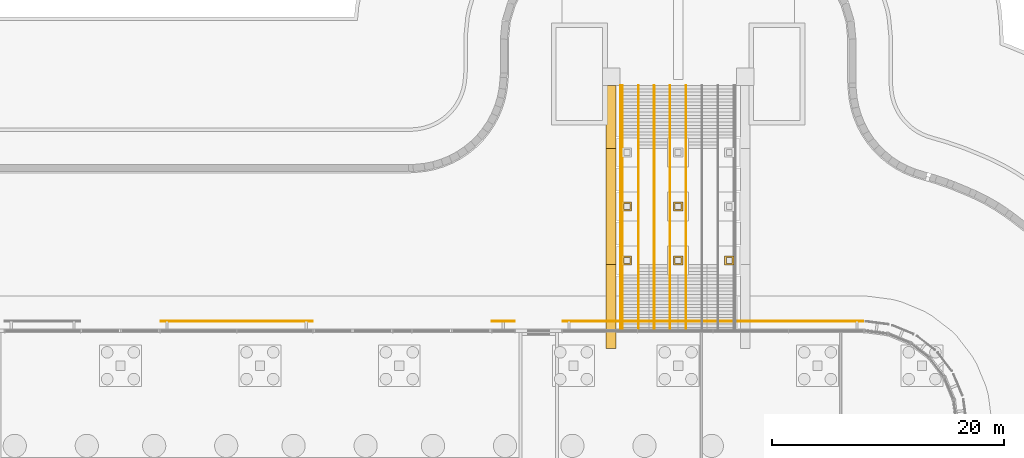
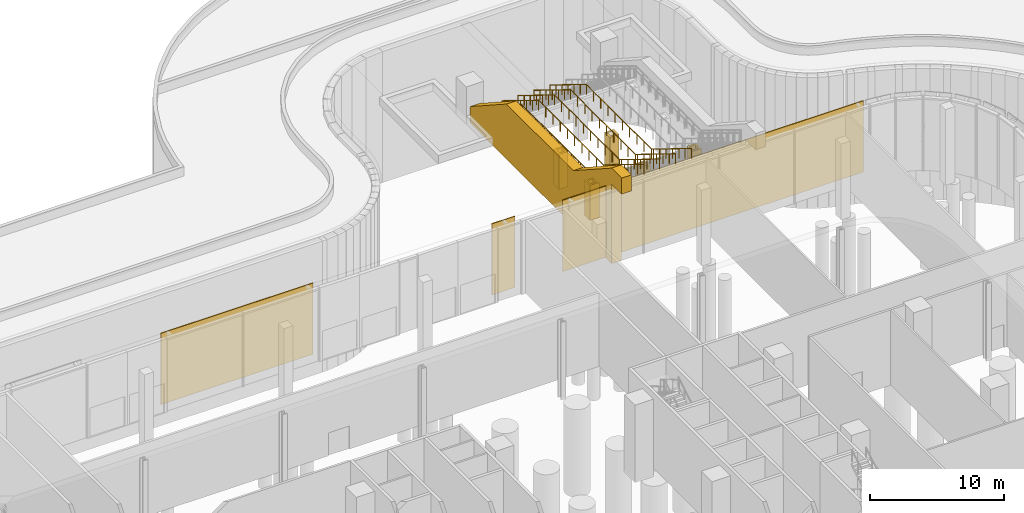
# One storey, part 45 of 48: 9 coverings, 6 railings, 1 element without a shape of its own.
"""IFC4 building model written with IfcOpenShell, lengths in metres."""

from ifc_helpers import new_model, si_unit, direction, frame, origin, origin_2d, place, context, subcontext, project, spatial, polyline, rectangle, circle, outline, extrude, material, layer, layer_set, type_object, element, aggregate, save


model = new_model("IFC4")

# Units and contexts
model_context = context("Model", 3, precision=1e-05, world=origin(), true_north=direction((0.0, 1.0)))
body_context = subcontext(model_context, "Body", "Model", "MODEL_VIEW")
ifc_project = project(units=[si_unit("LENGTHUNIT", "METRE"), si_unit("AREAUNIT", "SQUARE_METRE"), si_unit("VOLUMEUNIT", "CUBIC_METRE"), si_unit("PLANEANGLEUNIT", "RADIAN"), si_unit("MASSUNIT", "GRAM", prefix="KILO")], contexts=[model_context])

# Site, building, storey
site_placement = place(None, origin())
site = spatial("IfcSite", under=ifc_project, at=site_placement, CompositionType="ELEMENT")
building_placement = place(site_placement, origin())
building = spatial("IfcBuilding", under=site, at=building_placement, Name="Mahtab Terrace Research Tower", CompositionType="ELEMENT")
storey_placement = place(building_placement, origin())
storey = spatial("IfcBuildingStorey", under=building, at=storey_placement, Name="G", CompositionType="ELEMENT", Elevation=0.0)

# Coverings
ifc_material_1 = material(Name="Glazed ceramic tile cladding", Category="masonry")
ifc_layer_1 = layer(ifc_material_1, 0.14990234375)
ifc_layer_set_1 = layer_set([ifc_layer_1], Name="Column sleeve cladding 150")
covering_type_1 = type_object("IfcCoveringType", Name="Column sleeve cladding 150", PredefinedType="CLADDING", material=ifc_layer_set_1)
covering_1_placement = place(storey_placement, origin())
element("IfcCovering", 1, at=covering_1_placement, inside=storey, type_object=covering_type_1, Name="Column sleeve PS2-1-2", PredefinedType="CLADDING", context=body_context, shape_type="SweptSolid", body=[
    extrude(outline(polyline([(31.199951171875, 46.300048828125), (32.0, 46.300048828125), (32.0, 47.10009765625), (31.199951171875, 47.10009765625), (31.199951171875, 46.300048828125)]), holes=[polyline([(31.35009765625, 46.449951171875), (31.85009765625, 46.449951171875), (31.85009765625, 46.949951171875), (31.35009765625, 46.949951171875), (31.35009765625, 46.449951171875)])]), origin(), (0.0, 0.0, 1.0), 3.2119140625),
])
covering_2_placement = place(storey_placement, origin())
element("IfcCovering", 2, at=covering_2_placement, inside=storey, type_object=covering_type_1, Name="Column sleeve PS2-1-3", PredefinedType="CLADDING", context=body_context, shape_type="SweptSolid", body=[
    extrude(outline(polyline([(31.199951171875, 41.64990234375), (32.0, 41.64990234375), (32.0, 42.449951171875), (31.199951171875, 42.449951171875), (31.199951171875, 41.64990234375)]), holes=[polyline([(31.35009765625, 41.800048828125), (31.85009765625, 41.800048828125), (31.85009765625, 42.300048828125), (31.35009765625, 42.300048828125), (31.35009765625, 41.800048828125)])]), origin(), (0.0, 0.0, 1.0), 3.2119140625),
])
covering_3_placement = place(storey_placement, origin())
element("IfcCovering", 3, at=covering_3_placement, inside=storey, type_object=covering_type_1, Name="Column sleeve PS2-2-2", PredefinedType="CLADDING", context=body_context, shape_type="SweptSolid", body=[
    extrude(outline(polyline([(35.60009765625, 46.300048828125), (36.39990234375, 46.300048828125), (36.39990234375, 47.10009765625), (35.60009765625, 47.10009765625), (35.60009765625, 46.300048828125)]), holes=[polyline([(35.75, 46.449951171875), (36.25, 46.449951171875), (36.25, 46.949951171875), (35.75, 46.949951171875), (35.75, 46.449951171875)])]), origin(), (0.0, 0.0, 1.0), 3.2119140625),
])
covering_4_placement = place(storey_placement, origin())
element("IfcCovering", 4, at=covering_4_placement, inside=storey, type_object=covering_type_1, Name="Column sleeve PS2-2-3", PredefinedType="CLADDING", context=body_context, shape_type="SweptSolid", body=[
    extrude(outline(polyline([(35.60009765625, 41.64990234375), (36.39990234375, 41.64990234375), (36.39990234375, 42.449951171875), (35.60009765625, 42.449951171875), (35.60009765625, 41.64990234375)]), holes=[polyline([(35.75, 41.800048828125), (36.25, 41.800048828125), (36.25, 42.300048828125), (35.75, 42.300048828125), (35.75, 41.800048828125)])]), origin(), (0.0, 0.0, 1.0), 3.2119140625),
])
covering_5_placement = place(storey_placement, origin())
element("IfcCovering", 5, at=covering_5_placement, inside=storey, type_object=covering_type_1, Name="Column sleeve PS2-3-3", PredefinedType="CLADDING", context=body_context, shape_type="SweptSolid", body=[
    extrude(outline(polyline([(40.0, 41.64990234375), (40.800048828125, 41.64990234375), (40.800048828125, 42.449951171875), (40.0, 42.449951171875), (40.0, 41.64990234375)]), holes=[polyline([(40.14990234375, 41.800048828125), (40.64990234375, 41.800048828125), (40.64990234375, 42.300048828125), (40.14990234375, 42.300048828125), (40.14990234375, 41.800048828125)])]), origin(), (0.0, 0.0, 1.0), 3.2119140625),
])
ifc_material_2 = material(Name="Bronze anodised aluminium", Category="aluminium")
ifc_layer_2 = layer(ifc_material_2, 0.06005859375)
ifc_layer_set_2 = layer_set([ifc_layer_2], Name="Ground facade girih screen panel")
covering_type_2 = type_object("IfcCoveringType", Name="Ground facade girih screen panel", PredefinedType="CLADDING", material=ifc_layer_set_2)
covering_6_placement = place(storey_placement, frame((39.0, 36.830078125, 0.10009765625), z_axis=(0.0, 0.0, 1.0), x_axis=(-1.0, 0.0, 0.0)))
element("IfcCovering", 6, at=covering_6_placement, inside=storey, type_object=covering_type_2, Name="Girih screen ground N1", PredefinedType="CLADDING", context=body_context, shape_type="SweptSolid", body=[
    extrude(rectangle(XDim=25.89990234375, YDim=0.06005859375, at=origin_2d()), origin(), (0.0, 0.0, 1.0), 6.5),
])
covering_7_placement = place(storey_placement, frame((20.949951171875, 36.830078125, 0.10009765625), z_axis=(0.0, 0.0, 1.0), x_axis=(-1.0, 0.0, 0.0)))
element("IfcCovering", 7, at=covering_7_placement, inside=storey, type_object=covering_type_2, Name="Girih screen ground N3", PredefinedType="CLADDING", context=body_context, shape_type="SweptSolid", body=[
    extrude(rectangle(XDim=2.0, YDim=0.06005859375, at=origin_2d()), origin(), (0.0, 0.0, 1.0), 6.5),
])
covering_8_placement = place(storey_placement, frame((-2.0, 36.830078125, 0.10009765625), z_axis=(0.0, 0.0, 1.0), x_axis=(-1.0, 0.0, 0.0)))
element("IfcCovering", 8, at=covering_8_placement, inside=storey, type_object=covering_type_2, Name="Girih screen ground N9", PredefinedType="CLADDING", context=body_context, shape_type="SweptSolid", body=[
    extrude(rectangle(XDim=13.10009765625, YDim=0.06005859375, at=origin_2d()), origin(), (0.0, 0.0, 1.0), 6.5),
])
ifc_layer_3 = layer(ifc_material_1, 0.85009765625)
ifc_layer_set_3 = layer_set([ifc_layer_3], Name="Stair cheek cladding 850")
covering_type_3 = type_object("IfcCoveringType", Name="Stair cheek cladding 850", PredefinedType="CLADDING", material=ifc_layer_set_3)
covering_9_placement = place(storey_placement, frame((30.64990234375, 57.114990234375, 0.0), z_axis=(1.0, 0.0, 0.0), x_axis=(0.0, 0.0, 1.0)))
element("IfcCovering", 9, at=covering_9_placement, inside=storey, type_object=covering_type_3, Name="Stair cheek PS2W", PredefinedType="CLADDING", context=body_context, shape_type="SweptSolid", body=[
    extrude(outline(polyline([(0.0, 0.0), (1.5, 0.0), (5.011962890625, 5.4150390625), (5.011962890625, 15.4150390625), (8.699951171875, 21.114990234375), (8.699951171875, 22.614990234375), (7.22998046875, 22.614990234375), (7.22998046875, 21.114990234375), (0.0, 21.114990234375), (0.0, 0.0)])), origin(), (0.0, 0.0, -1.0), 0.85009765625),
])

# Stair, railings
ifc_material_3 = material(Name="Public deck stair")
stair_type = type_object("IfcStairType", Name="Public deck stair", PredefinedType="STRAIGHT_RUN_STAIR", material=ifc_material_3)
stair_placement = place(storey_placement, origin())
stair = element("IfcStair", 10, at=stair_placement, inside=storey, type_object=stair_type, Name="Public deck stair PS2", PredefinedType="STRAIGHT_RUN_STAIR")
ifc_material_4 = material(Name="Stainless steel AISI 304", Category="steel")
railing_type_1 = type_object("IfcRailingType", Name="Stair guard 1100", PredefinedType="GUARDRAIL", material=ifc_material_4)
railing_1_placement = place(storey_placement, frame((31.050048828125, 57.114990234375, 0.175537109375)))
railing_1 = element("IfcRailing", 11, at=railing_1_placement, type_object=railing_type_1, Name="PS2 stair guard 1", PredefinedType="GUARDRAIL", context=body_context, shape_type="SweptSolid", body=[
    extrude(circle(Radius=0.02392578125, at=origin_2d()), frame((0.0, 0.0, 1.076171875), z_axis=(0.0, -0.851353738044, 0.524592044087), x_axis=(1.0, 0.0, 0.0)), (0.0, 0.0, 1.0), 6.360595703125),
    extrude(circle(Radius=0.02392578125, at=origin_2d()), frame((0.0, -5.4150390625, 4.41259765625), z_axis=(0.0, -1.0, 0.0), x_axis=(1.0, 0.0, 0.0)), (0.0, 0.0, 1.0), 9.699951171875),
    extrude(circle(Radius=0.02392578125, at=origin_2d()), frame((0.0, -15.114990234375, 4.41259765625), z_axis=(0.0, -0.863141399684, 0.504962299734), x_axis=(1.0, 0.0, 0.0)), (0.0, 0.0, 1.0), 0.34765625),
    extrude(circle(Radius=0.02392578125, at=origin_2d()), frame((0.0, -15.4150390625, 4.58837890625), z_axis=(0.0, -0.851355183799, 0.524589697782), x_axis=(1.0, 0.0, 0.0)), (0.0, 0.0, 1.0), 6.695068359375),
    extrude(circle(Radius=0.02099609375, at=origin_2d()), origin(), (0.0, 0.0, 1.0), 1.052001953125),
    extrude(circle(Radius=0.02099609375, at=origin_2d()), frame((0.0, -0.902587890625, 0.55615234375)), (0.0, 0.0, 1.0), 1.052001953125),
    extrude(circle(Radius=0.02099609375, at=origin_2d()), frame((0.0, -1.804931640625, 1.1123046875)), (0.0, 0.0, 1.0), 1.052001953125),
    extrude(circle(Radius=0.02099609375, at=origin_2d()), frame((0.0, -2.70751953125, 1.66845703125)), (0.0, 0.0, 1.0), 1.052001953125),
    extrude(circle(Radius=0.02099609375, at=origin_2d()), frame((0.0, -3.610107421875, 2.224365234375)), (0.0, 0.0, 1.0), 1.052001953125),
    extrude(circle(Radius=0.02099609375, at=origin_2d()), frame((0.0, -4.512451171875, 2.780517578125)), (0.0, 0.0, 1.0), 1.052001953125),
    extrude(circle(Radius=0.02099609375, at=origin_2d()), frame((0.0, -5.4150390625, 3.336669921875)), (0.0, 0.0, 1.0), 1.052001953125),
    extrude(circle(Radius=0.02099609375, at=origin_2d()), frame((0.0, -6.492919921875, 3.336669921875)), (0.0, 0.0, 1.0), 1.052001953125),
    extrude(circle(Radius=0.02099609375, at=origin_2d()), frame((0.0, -7.570556640625, 3.336669921875)), (0.0, 0.0, 1.0), 1.052001953125),
    extrude(circle(Radius=0.02099609375, at=origin_2d()), frame((0.0, -8.6484375, 3.336669921875)), (0.0, 0.0, 1.0), 1.052001953125),
    extrude(circle(Radius=0.02099609375, at=origin_2d()), frame((0.0, -9.72607421875, 3.336669921875)), (0.0, 0.0, 1.0), 1.052001953125),
    extrude(circle(Radius=0.02099609375, at=origin_2d()), frame((0.0, -10.803955078125, 3.336669921875)), (0.0, 0.0, 1.0), 1.052001953125),
    extrude(circle(Radius=0.02099609375, at=origin_2d()), frame((0.0, -11.881591796875, 3.336669921875)), (0.0, 0.0, 1.0), 1.052001953125),
    extrude(circle(Radius=0.02099609375, at=origin_2d()), frame((0.0, -12.95947265625, 3.336669921875)), (0.0, 0.0, 1.0), 1.052001953125),
    extrude(circle(Radius=0.02099609375, at=origin_2d()), frame((0.0, -14.037109375, 3.336669921875)), (0.0, 0.0, 1.0), 1.052001953125),
    extrude(circle(Radius=0.02099609375, at=origin_2d()), frame((0.0, -15.114990234375, 3.336669921875)), (0.0, 0.0, 1.0), 1.052001953125),
    extrude(circle(Radius=0.02099609375, at=origin_2d()), frame((0.0, -15.4150390625, 3.51220703125)), (0.0, 0.0, 1.0), 1.052001953125),
    extrude(circle(Radius=0.02099609375, at=origin_2d()), frame((0.0, -16.364990234375, 4.09765625)), (0.0, 0.0, 1.0), 1.052001953125),
    extrude(circle(Radius=0.02099609375, at=origin_2d()), frame((0.0, -17.31494140625, 4.682861328125)), (0.0, 0.0, 1.0), 1.052001953125),
    extrude(circle(Radius=0.02099609375, at=origin_2d()), frame((0.0, -18.26513671875, 5.268310546875)), (0.0, 0.0, 1.0), 1.052001953125),
    extrude(circle(Radius=0.02099609375, at=origin_2d()), frame((0.0, -19.215087890625, 5.853759765625)), (0.0, 0.0, 1.0), 1.052001953125),
    extrude(circle(Radius=0.02099609375, at=origin_2d()), frame((0.0, -20.1650390625, 6.43896484375)), (0.0, 0.0, 1.0), 1.052001953125),
    extrude(circle(Radius=0.02099609375, at=origin_2d()), frame((0.0, -21.114990234375, 7.0244140625)), (0.0, 0.0, 1.0), 1.052001953125),
])
railing_type_2 = type_object("IfcRailingType", Name="Stair handrail 900", PredefinedType="HANDRAIL", material=ifc_material_4)
railing_2_placement = place(storey_placement, frame((31.199951171875, 57.114990234375, 0.175537109375)))
railing_2 = element("IfcRailing", 12, at=railing_2_placement, type_object=railing_type_2, Name="PS2 stair handrail 3", PredefinedType="HANDRAIL", context=body_context, shape_type="SweptSolid", body=[
    extrude(circle(Radius=0.02392578125, at=origin_2d()), frame((0.0, 0.0, 0.8759765625), z_axis=(0.0, -0.851353738044, 0.524592044087), x_axis=(1.0, 0.0, 0.0)), (0.0, 0.0, 1.0), 6.360595703125),
    extrude(circle(Radius=0.02392578125, at=origin_2d()), frame((0.0, -5.4150390625, 4.21240234375), z_axis=(0.0, -1.0, 0.0), x_axis=(1.0, 0.0, 0.0)), (0.0, 0.0, 1.0), 9.699951171875),
    extrude(circle(Radius=0.02392578125, at=origin_2d()), frame((0.0, -15.114990234375, 4.21240234375), z_axis=(0.0, -0.863141399684, 0.504962299734), x_axis=(1.0, 0.0, 0.0)), (0.0, 0.0, 1.0), 0.34765625),
    extrude(circle(Radius=0.02392578125, at=origin_2d()), frame((0.0, -15.4150390625, 4.38818359375), z_axis=(0.0, -0.851355183799, 0.524589697782), x_axis=(1.0, 0.0, 0.0)), (0.0, 0.0, 1.0), 6.695068359375),
    extrude(circle(Radius=0.02099609375, at=origin_2d()), origin(), (0.0, 0.0, 1.0), 0.851806640625),
    extrude(circle(Radius=0.02099609375, at=origin_2d()), frame((0.0, -0.902587890625, 0.55615234375)), (0.0, 0.0, 1.0), 0.851806640625),
    extrude(circle(Radius=0.02099609375, at=origin_2d()), frame((0.0, -1.804931640625, 1.1123046875)), (0.0, 0.0, 1.0), 0.851806640625),
    extrude(circle(Radius=0.02099609375, at=origin_2d()), frame((0.0, -2.70751953125, 1.66845703125)), (0.0, 0.0, 1.0), 0.851806640625),
    extrude(circle(Radius=0.02099609375, at=origin_2d()), frame((0.0, -3.610107421875, 2.224365234375)), (0.0, 0.0, 1.0), 0.851806640625),
    extrude(circle(Radius=0.02099609375, at=origin_2d()), frame((0.0, -4.512451171875, 2.780517578125)), (0.0, 0.0, 1.0), 0.851806640625),
    extrude(circle(Radius=0.02099609375, at=origin_2d()), frame((0.0, -5.4150390625, 3.336669921875)), (0.0, 0.0, 1.0), 0.851806640625),
    extrude(circle(Radius=0.02099609375, at=origin_2d()), frame((0.0, -6.492919921875, 3.336669921875)), (0.0, 0.0, 1.0), 0.851806640625),
    extrude(circle(Radius=0.02099609375, at=origin_2d()), frame((0.0, -7.570556640625, 3.336669921875)), (0.0, 0.0, 1.0), 0.851806640625),
    extrude(circle(Radius=0.02099609375, at=origin_2d()), frame((0.0, -8.6484375, 3.336669921875)), (0.0, 0.0, 1.0), 0.851806640625),
    extrude(circle(Radius=0.02099609375, at=origin_2d()), frame((0.0, -9.72607421875, 3.336669921875)), (0.0, 0.0, 1.0), 0.851806640625),
    extrude(circle(Radius=0.02099609375, at=origin_2d()), frame((0.0, -10.803955078125, 3.336669921875)), (0.0, 0.0, 1.0), 0.851806640625),
    extrude(circle(Radius=0.02099609375, at=origin_2d()), frame((0.0, -11.881591796875, 3.336669921875)), (0.0, 0.0, 1.0), 0.851806640625),
    extrude(circle(Radius=0.02099609375, at=origin_2d()), frame((0.0, -12.95947265625, 3.336669921875)), (0.0, 0.0, 1.0), 0.851806640625),
    extrude(circle(Radius=0.02099609375, at=origin_2d()), frame((0.0, -14.037109375, 3.336669921875)), (0.0, 0.0, 1.0), 0.851806640625),
    extrude(circle(Radius=0.02099609375, at=origin_2d()), frame((0.0, -15.114990234375, 3.336669921875)), (0.0, 0.0, 1.0), 0.851806640625),
    extrude(circle(Radius=0.02099609375, at=origin_2d()), frame((0.0, -15.4150390625, 3.51220703125)), (0.0, 0.0, 1.0), 0.851806640625),
    extrude(circle(Radius=0.02099609375, at=origin_2d()), frame((0.0, -16.364990234375, 4.09765625)), (0.0, 0.0, 1.0), 0.851806640625),
    extrude(circle(Radius=0.02099609375, at=origin_2d()), frame((0.0, -17.31494140625, 4.682861328125)), (0.0, 0.0, 1.0), 0.851806640625),
    extrude(circle(Radius=0.02099609375, at=origin_2d()), frame((0.0, -18.26513671875, 5.268310546875)), (0.0, 0.0, 1.0), 0.851806640625),
    extrude(circle(Radius=0.02099609375, at=origin_2d()), frame((0.0, -19.215087890625, 5.853759765625)), (0.0, 0.0, 1.0), 0.851806640625),
    extrude(circle(Radius=0.02099609375, at=origin_2d()), frame((0.0, -20.1650390625, 6.43896484375)), (0.0, 0.0, 1.0), 0.851806640625),
    extrude(circle(Radius=0.02099609375, at=origin_2d()), frame((0.0, -21.114990234375, 7.0244140625)), (0.0, 0.0, 1.0), 0.851806640625),
])
railing_3_placement = place(storey_placement, frame((32.5712890625, 57.114990234375, 0.175537109375)))
railing_3 = element("IfcRailing", 13, at=railing_3_placement, type_object=railing_type_2, Name="PS2 stair handrail 4", PredefinedType="HANDRAIL", context=body_context, shape_type="SweptSolid", body=[
    extrude(circle(Radius=0.02392578125, at=origin_2d()), frame((0.0, 0.0, 0.8759765625), z_axis=(0.0, -0.851353738044, 0.524592044087), x_axis=(1.0, 0.0, 0.0)), (0.0, 0.0, 1.0), 6.360595703125),
    extrude(circle(Radius=0.02392578125, at=origin_2d()), frame((0.0, -5.4150390625, 4.21240234375), z_axis=(0.0, -1.0, 0.0), x_axis=(1.0, 0.0, 0.0)), (0.0, 0.0, 1.0), 9.699951171875),
    extrude(circle(Radius=0.02392578125, at=origin_2d()), frame((0.0, -15.114990234375, 4.21240234375), z_axis=(0.0, -0.863141399684, 0.504962299734), x_axis=(1.0, 0.0, 0.0)), (0.0, 0.0, 1.0), 0.34765625),
    extrude(circle(Radius=0.02392578125, at=origin_2d()), frame((0.0, -15.4150390625, 4.38818359375), z_axis=(0.0, -0.851355183799, 0.524589697782), x_axis=(1.0, 0.0, 0.0)), (0.0, 0.0, 1.0), 6.695068359375),
    extrude(circle(Radius=0.02099609375, at=origin_2d()), origin(), (0.0, 0.0, 1.0), 0.851806640625),
    extrude(circle(Radius=0.02099609375, at=origin_2d()), frame((0.0, -0.902587890625, 0.55615234375)), (0.0, 0.0, 1.0), 0.851806640625),
    extrude(circle(Radius=0.02099609375, at=origin_2d()), frame((0.0, -1.804931640625, 1.1123046875)), (0.0, 0.0, 1.0), 0.851806640625),
    extrude(circle(Radius=0.02099609375, at=origin_2d()), frame((0.0, -2.70751953125, 1.66845703125)), (0.0, 0.0, 1.0), 0.851806640625),
    extrude(circle(Radius=0.02099609375, at=origin_2d()), frame((0.0, -3.610107421875, 2.224365234375)), (0.0, 0.0, 1.0), 0.851806640625),
    extrude(circle(Radius=0.02099609375, at=origin_2d()), frame((0.0, -4.512451171875, 2.780517578125)), (0.0, 0.0, 1.0), 0.851806640625),
    extrude(circle(Radius=0.02099609375, at=origin_2d()), frame((0.0, -5.4150390625, 3.336669921875)), (0.0, 0.0, 1.0), 0.851806640625),
    extrude(circle(Radius=0.02099609375, at=origin_2d()), frame((0.0, -6.492919921875, 3.336669921875)), (0.0, 0.0, 1.0), 0.851806640625),
    extrude(circle(Radius=0.02099609375, at=origin_2d()), frame((0.0, -7.570556640625, 3.336669921875)), (0.0, 0.0, 1.0), 0.851806640625),
    extrude(circle(Radius=0.02099609375, at=origin_2d()), frame((0.0, -8.6484375, 3.336669921875)), (0.0, 0.0, 1.0), 0.851806640625),
    extrude(circle(Radius=0.02099609375, at=origin_2d()), frame((0.0, -9.72607421875, 3.336669921875)), (0.0, 0.0, 1.0), 0.851806640625),
    extrude(circle(Radius=0.02099609375, at=origin_2d()), frame((0.0, -10.803955078125, 3.336669921875)), (0.0, 0.0, 1.0), 0.851806640625),
    extrude(circle(Radius=0.02099609375, at=origin_2d()), frame((0.0, -11.881591796875, 3.336669921875)), (0.0, 0.0, 1.0), 0.851806640625),
    extrude(circle(Radius=0.02099609375, at=origin_2d()), frame((0.0, -12.95947265625, 3.336669921875)), (0.0, 0.0, 1.0), 0.851806640625),
    extrude(circle(Radius=0.02099609375, at=origin_2d()), frame((0.0, -14.037109375, 3.336669921875)), (0.0, 0.0, 1.0), 0.851806640625),
    extrude(circle(Radius=0.02099609375, at=origin_2d()), frame((0.0, -15.114990234375, 3.336669921875)), (0.0, 0.0, 1.0), 0.851806640625),
    extrude(circle(Radius=0.02099609375, at=origin_2d()), frame((0.0, -15.4150390625, 3.51220703125)), (0.0, 0.0, 1.0), 0.851806640625),
    extrude(circle(Radius=0.02099609375, at=origin_2d()), frame((0.0, -16.364990234375, 4.09765625)), (0.0, 0.0, 1.0), 0.851806640625),
    extrude(circle(Radius=0.02099609375, at=origin_2d()), frame((0.0, -17.31494140625, 4.682861328125)), (0.0, 0.0, 1.0), 0.851806640625),
    extrude(circle(Radius=0.02099609375, at=origin_2d()), frame((0.0, -18.26513671875, 5.268310546875)), (0.0, 0.0, 1.0), 0.851806640625),
    extrude(circle(Radius=0.02099609375, at=origin_2d()), frame((0.0, -19.215087890625, 5.853759765625)), (0.0, 0.0, 1.0), 0.851806640625),
    extrude(circle(Radius=0.02099609375, at=origin_2d()), frame((0.0, -20.1650390625, 6.43896484375)), (0.0, 0.0, 1.0), 0.851806640625),
    extrude(circle(Radius=0.02099609375, at=origin_2d()), frame((0.0, -21.114990234375, 7.0244140625)), (0.0, 0.0, 1.0), 0.851806640625),
])
railing_4_placement = place(storey_placement, frame((33.94287109375, 57.114990234375, 0.175537109375)))
railing_4 = element("IfcRailing", 14, at=railing_4_placement, type_object=railing_type_2, Name="PS2 stair handrail 5", PredefinedType="HANDRAIL", context=body_context, shape_type="SweptSolid", body=[
    extrude(circle(Radius=0.02392578125, at=origin_2d()), frame((0.0, 0.0, 0.8759765625), z_axis=(0.0, -0.851353738044, 0.524592044087), x_axis=(1.0, 0.0, 0.0)), (0.0, 0.0, 1.0), 6.360595703125),
    extrude(circle(Radius=0.02392578125, at=origin_2d()), frame((0.0, -5.4150390625, 4.21240234375), z_axis=(0.0, -1.0, 0.0), x_axis=(1.0, 0.0, 0.0)), (0.0, 0.0, 1.0), 9.699951171875),
    extrude(circle(Radius=0.02392578125, at=origin_2d()), frame((0.0, -15.114990234375, 4.21240234375), z_axis=(0.0, -0.863141399684, 0.504962299734), x_axis=(1.0, 0.0, 0.0)), (0.0, 0.0, 1.0), 0.34765625),
    extrude(circle(Radius=0.02392578125, at=origin_2d()), frame((0.0, -15.4150390625, 4.38818359375), z_axis=(0.0, -0.851355183799, 0.524589697782), x_axis=(1.0, 0.0, 0.0)), (0.0, 0.0, 1.0), 6.695068359375),
    extrude(circle(Radius=0.02099609375, at=origin_2d()), origin(), (0.0, 0.0, 1.0), 0.851806640625),
    extrude(circle(Radius=0.02099609375, at=origin_2d()), frame((0.0, -0.902587890625, 0.55615234375)), (0.0, 0.0, 1.0), 0.851806640625),
    extrude(circle(Radius=0.02099609375, at=origin_2d()), frame((0.0, -1.804931640625, 1.1123046875)), (0.0, 0.0, 1.0), 0.851806640625),
    extrude(circle(Radius=0.02099609375, at=origin_2d()), frame((0.0, -2.70751953125, 1.66845703125)), (0.0, 0.0, 1.0), 0.851806640625),
    extrude(circle(Radius=0.02099609375, at=origin_2d()), frame((0.0, -3.610107421875, 2.224365234375)), (0.0, 0.0, 1.0), 0.851806640625),
    extrude(circle(Radius=0.02099609375, at=origin_2d()), frame((0.0, -4.512451171875, 2.780517578125)), (0.0, 0.0, 1.0), 0.851806640625),
    extrude(circle(Radius=0.02099609375, at=origin_2d()), frame((0.0, -5.4150390625, 3.336669921875)), (0.0, 0.0, 1.0), 0.851806640625),
    extrude(circle(Radius=0.02099609375, at=origin_2d()), frame((0.0, -6.492919921875, 3.336669921875)), (0.0, 0.0, 1.0), 0.851806640625),
    extrude(circle(Radius=0.02099609375, at=origin_2d()), frame((0.0, -7.570556640625, 3.336669921875)), (0.0, 0.0, 1.0), 0.851806640625),
    extrude(circle(Radius=0.02099609375, at=origin_2d()), frame((0.0, -8.6484375, 3.336669921875)), (0.0, 0.0, 1.0), 0.851806640625),
    extrude(circle(Radius=0.02099609375, at=origin_2d()), frame((0.0, -9.72607421875, 3.336669921875)), (0.0, 0.0, 1.0), 0.851806640625),
    extrude(circle(Radius=0.02099609375, at=origin_2d()), frame((0.0, -10.803955078125, 3.336669921875)), (0.0, 0.0, 1.0), 0.851806640625),
    extrude(circle(Radius=0.02099609375, at=origin_2d()), frame((0.0, -11.881591796875, 3.336669921875)), (0.0, 0.0, 1.0), 0.851806640625),
    extrude(circle(Radius=0.02099609375, at=origin_2d()), frame((0.0, -12.95947265625, 3.336669921875)), (0.0, 0.0, 1.0), 0.851806640625),
    extrude(circle(Radius=0.02099609375, at=origin_2d()), frame((0.0, -14.037109375, 3.336669921875)), (0.0, 0.0, 1.0), 0.851806640625),
    extrude(circle(Radius=0.02099609375, at=origin_2d()), frame((0.0, -15.114990234375, 3.336669921875)), (0.0, 0.0, 1.0), 0.851806640625),
    extrude(circle(Radius=0.02099609375, at=origin_2d()), frame((0.0, -15.4150390625, 3.51220703125)), (0.0, 0.0, 1.0), 0.851806640625),
    extrude(circle(Radius=0.02099609375, at=origin_2d()), frame((0.0, -16.364990234375, 4.09765625)), (0.0, 0.0, 1.0), 0.851806640625),
    extrude(circle(Radius=0.02099609375, at=origin_2d()), frame((0.0, -17.31494140625, 4.682861328125)), (0.0, 0.0, 1.0), 0.851806640625),
    extrude(circle(Radius=0.02099609375, at=origin_2d()), frame((0.0, -18.26513671875, 5.268310546875)), (0.0, 0.0, 1.0), 0.851806640625),
    extrude(circle(Radius=0.02099609375, at=origin_2d()), frame((0.0, -19.215087890625, 5.853759765625)), (0.0, 0.0, 1.0), 0.851806640625),
    extrude(circle(Radius=0.02099609375, at=origin_2d()), frame((0.0, -20.1650390625, 6.43896484375)), (0.0, 0.0, 1.0), 0.851806640625),
    extrude(circle(Radius=0.02099609375, at=origin_2d()), frame((0.0, -21.114990234375, 7.0244140625)), (0.0, 0.0, 1.0), 0.851806640625),
])
railing_5_placement = place(storey_placement, frame((35.314208984375, 57.114990234375, 0.175537109375)))
railing_5 = element("IfcRailing", 15, at=railing_5_placement, type_object=railing_type_2, Name="PS2 stair handrail 6", PredefinedType="HANDRAIL", context=body_context, shape_type="SweptSolid", body=[
    extrude(circle(Radius=0.02392578125, at=origin_2d()), frame((0.0, 0.0, 0.8759765625), z_axis=(0.0, -0.851353738044, 0.524592044087), x_axis=(1.0, 0.0, 0.0)), (0.0, 0.0, 1.0), 6.360595703125),
    extrude(circle(Radius=0.02392578125, at=origin_2d()), frame((0.0, -5.4150390625, 4.21240234375), z_axis=(0.0, -1.0, 0.0), x_axis=(1.0, 0.0, 0.0)), (0.0, 0.0, 1.0), 9.699951171875),
    extrude(circle(Radius=0.02392578125, at=origin_2d()), frame((0.0, -15.114990234375, 4.21240234375), z_axis=(0.0, -0.863141399684, 0.504962299734), x_axis=(1.0, 0.0, 0.0)), (0.0, 0.0, 1.0), 0.34765625),
    extrude(circle(Radius=0.02392578125, at=origin_2d()), frame((0.0, -15.4150390625, 4.38818359375), z_axis=(0.0, -0.851355183799, 0.524589697782), x_axis=(1.0, 0.0, 0.0)), (0.0, 0.0, 1.0), 6.695068359375),
    extrude(circle(Radius=0.02099609375, at=origin_2d()), origin(), (0.0, 0.0, 1.0), 0.851806640625),
    extrude(circle(Radius=0.02099609375, at=origin_2d()), frame((0.0, -0.902587890625, 0.55615234375)), (0.0, 0.0, 1.0), 0.851806640625),
    extrude(circle(Radius=0.02099609375, at=origin_2d()), frame((0.0, -1.804931640625, 1.1123046875)), (0.0, 0.0, 1.0), 0.851806640625),
    extrude(circle(Radius=0.02099609375, at=origin_2d()), frame((0.0, -2.70751953125, 1.66845703125)), (0.0, 0.0, 1.0), 0.851806640625),
    extrude(circle(Radius=0.02099609375, at=origin_2d()), frame((0.0, -3.610107421875, 2.224365234375)), (0.0, 0.0, 1.0), 0.851806640625),
    extrude(circle(Radius=0.02099609375, at=origin_2d()), frame((0.0, -4.512451171875, 2.780517578125)), (0.0, 0.0, 1.0), 0.851806640625),
    extrude(circle(Radius=0.02099609375, at=origin_2d()), frame((0.0, -5.4150390625, 3.336669921875)), (0.0, 0.0, 1.0), 0.851806640625),
    extrude(circle(Radius=0.02099609375, at=origin_2d()), frame((0.0, -6.492919921875, 3.336669921875)), (0.0, 0.0, 1.0), 0.851806640625),
    extrude(circle(Radius=0.02099609375, at=origin_2d()), frame((0.0, -7.570556640625, 3.336669921875)), (0.0, 0.0, 1.0), 0.851806640625),
    extrude(circle(Radius=0.02099609375, at=origin_2d()), frame((0.0, -8.6484375, 3.336669921875)), (0.0, 0.0, 1.0), 0.851806640625),
    extrude(circle(Radius=0.02099609375, at=origin_2d()), frame((0.0, -9.72607421875, 3.336669921875)), (0.0, 0.0, 1.0), 0.851806640625),
    extrude(circle(Radius=0.02099609375, at=origin_2d()), frame((0.0, -10.803955078125, 3.336669921875)), (0.0, 0.0, 1.0), 0.851806640625),
    extrude(circle(Radius=0.02099609375, at=origin_2d()), frame((0.0, -11.881591796875, 3.336669921875)), (0.0, 0.0, 1.0), 0.851806640625),
    extrude(circle(Radius=0.02099609375, at=origin_2d()), frame((0.0, -12.95947265625, 3.336669921875)), (0.0, 0.0, 1.0), 0.851806640625),
    extrude(circle(Radius=0.02099609375, at=origin_2d()), frame((0.0, -14.037109375, 3.336669921875)), (0.0, 0.0, 1.0), 0.851806640625),
    extrude(circle(Radius=0.02099609375, at=origin_2d()), frame((0.0, -15.114990234375, 3.336669921875)), (0.0, 0.0, 1.0), 0.851806640625),
    extrude(circle(Radius=0.02099609375, at=origin_2d()), frame((0.0, -15.4150390625, 3.51220703125)), (0.0, 0.0, 1.0), 0.851806640625),
    extrude(circle(Radius=0.02099609375, at=origin_2d()), frame((0.0, -16.364990234375, 4.09765625)), (0.0, 0.0, 1.0), 0.851806640625),
    extrude(circle(Radius=0.02099609375, at=origin_2d()), frame((0.0, -17.31494140625, 4.682861328125)), (0.0, 0.0, 1.0), 0.851806640625),
    extrude(circle(Radius=0.02099609375, at=origin_2d()), frame((0.0, -18.26513671875, 5.268310546875)), (0.0, 0.0, 1.0), 0.851806640625),
    extrude(circle(Radius=0.02099609375, at=origin_2d()), frame((0.0, -19.215087890625, 5.853759765625)), (0.0, 0.0, 1.0), 0.851806640625),
    extrude(circle(Radius=0.02099609375, at=origin_2d()), frame((0.0, -20.1650390625, 6.43896484375)), (0.0, 0.0, 1.0), 0.851806640625),
    extrude(circle(Radius=0.02099609375, at=origin_2d()), frame((0.0, -21.114990234375, 7.0244140625)), (0.0, 0.0, 1.0), 0.851806640625),
])
railing_6_placement = place(storey_placement, frame((36.685791015625, 57.114990234375, 0.175537109375)))
railing_6 = element("IfcRailing", 16, at=railing_6_placement, type_object=railing_type_2, Name="PS2 stair handrail 7", PredefinedType="HANDRAIL", context=body_context, shape_type="SweptSolid", body=[
    extrude(circle(Radius=0.02392578125, at=origin_2d()), frame((0.0, 0.0, 0.8759765625), z_axis=(0.0, -0.851353738044, 0.524592044087), x_axis=(1.0, 0.0, 0.0)), (0.0, 0.0, 1.0), 6.360595703125),
    extrude(circle(Radius=0.02392578125, at=origin_2d()), frame((0.0, -5.4150390625, 4.21240234375), z_axis=(0.0, -1.0, 0.0), x_axis=(1.0, 0.0, 0.0)), (0.0, 0.0, 1.0), 9.699951171875),
    extrude(circle(Radius=0.02392578125, at=origin_2d()), frame((0.0, -15.114990234375, 4.21240234375), z_axis=(0.0, -0.863141399684, 0.504962299734), x_axis=(1.0, 0.0, 0.0)), (0.0, 0.0, 1.0), 0.34765625),
    extrude(circle(Radius=0.02392578125, at=origin_2d()), frame((0.0, -15.4150390625, 4.38818359375), z_axis=(0.0, -0.851355183799, 0.524589697782), x_axis=(1.0, 0.0, 0.0)), (0.0, 0.0, 1.0), 6.695068359375),
    extrude(circle(Radius=0.02099609375, at=origin_2d()), origin(), (0.0, 0.0, 1.0), 0.851806640625),
    extrude(circle(Radius=0.02099609375, at=origin_2d()), frame((0.0, -0.902587890625, 0.55615234375)), (0.0, 0.0, 1.0), 0.851806640625),
    extrude(circle(Radius=0.02099609375, at=origin_2d()), frame((0.0, -1.804931640625, 1.1123046875)), (0.0, 0.0, 1.0), 0.851806640625),
    extrude(circle(Radius=0.02099609375, at=origin_2d()), frame((0.0, -2.70751953125, 1.66845703125)), (0.0, 0.0, 1.0), 0.851806640625),
    extrude(circle(Radius=0.02099609375, at=origin_2d()), frame((0.0, -3.610107421875, 2.224365234375)), (0.0, 0.0, 1.0), 0.851806640625),
    extrude(circle(Radius=0.02099609375, at=origin_2d()), frame((0.0, -4.512451171875, 2.780517578125)), (0.0, 0.0, 1.0), 0.851806640625),
    extrude(circle(Radius=0.02099609375, at=origin_2d()), frame((0.0, -5.4150390625, 3.336669921875)), (0.0, 0.0, 1.0), 0.851806640625),
    extrude(circle(Radius=0.02099609375, at=origin_2d()), frame((0.0, -6.492919921875, 3.336669921875)), (0.0, 0.0, 1.0), 0.851806640625),
    extrude(circle(Radius=0.02099609375, at=origin_2d()), frame((0.0, -7.570556640625, 3.336669921875)), (0.0, 0.0, 1.0), 0.851806640625),
    extrude(circle(Radius=0.02099609375, at=origin_2d()), frame((0.0, -8.6484375, 3.336669921875)), (0.0, 0.0, 1.0), 0.851806640625),
    extrude(circle(Radius=0.02099609375, at=origin_2d()), frame((0.0, -9.72607421875, 3.336669921875)), (0.0, 0.0, 1.0), 0.851806640625),
    extrude(circle(Radius=0.02099609375, at=origin_2d()), frame((0.0, -10.803955078125, 3.336669921875)), (0.0, 0.0, 1.0), 0.851806640625),
    extrude(circle(Radius=0.02099609375, at=origin_2d()), frame((0.0, -11.881591796875, 3.336669921875)), (0.0, 0.0, 1.0), 0.851806640625),
    extrude(circle(Radius=0.02099609375, at=origin_2d()), frame((0.0, -12.95947265625, 3.336669921875)), (0.0, 0.0, 1.0), 0.851806640625),
    extrude(circle(Radius=0.02099609375, at=origin_2d()), frame((0.0, -14.037109375, 3.336669921875)), (0.0, 0.0, 1.0), 0.851806640625),
    extrude(circle(Radius=0.02099609375, at=origin_2d()), frame((0.0, -15.114990234375, 3.336669921875)), (0.0, 0.0, 1.0), 0.851806640625),
    extrude(circle(Radius=0.02099609375, at=origin_2d()), frame((0.0, -15.4150390625, 3.51220703125)), (0.0, 0.0, 1.0), 0.851806640625),
    extrude(circle(Radius=0.02099609375, at=origin_2d()), frame((0.0, -16.364990234375, 4.09765625)), (0.0, 0.0, 1.0), 0.851806640625),
    extrude(circle(Radius=0.02099609375, at=origin_2d()), frame((0.0, -17.31494140625, 4.682861328125)), (0.0, 0.0, 1.0), 0.851806640625),
    extrude(circle(Radius=0.02099609375, at=origin_2d()), frame((0.0, -18.26513671875, 5.268310546875)), (0.0, 0.0, 1.0), 0.851806640625),
    extrude(circle(Radius=0.02099609375, at=origin_2d()), frame((0.0, -19.215087890625, 5.853759765625)), (0.0, 0.0, 1.0), 0.851806640625),
    extrude(circle(Radius=0.02099609375, at=origin_2d()), frame((0.0, -20.1650390625, 6.43896484375)), (0.0, 0.0, 1.0), 0.851806640625),
    extrude(circle(Radius=0.02099609375, at=origin_2d()), frame((0.0, -21.114990234375, 7.0244140625)), (0.0, 0.0, 1.0), 0.851806640625),
])
aggregate(stair, [railing_1, railing_2, railing_3, railing_4, railing_5, railing_6])

save(model, "model.ifc")
